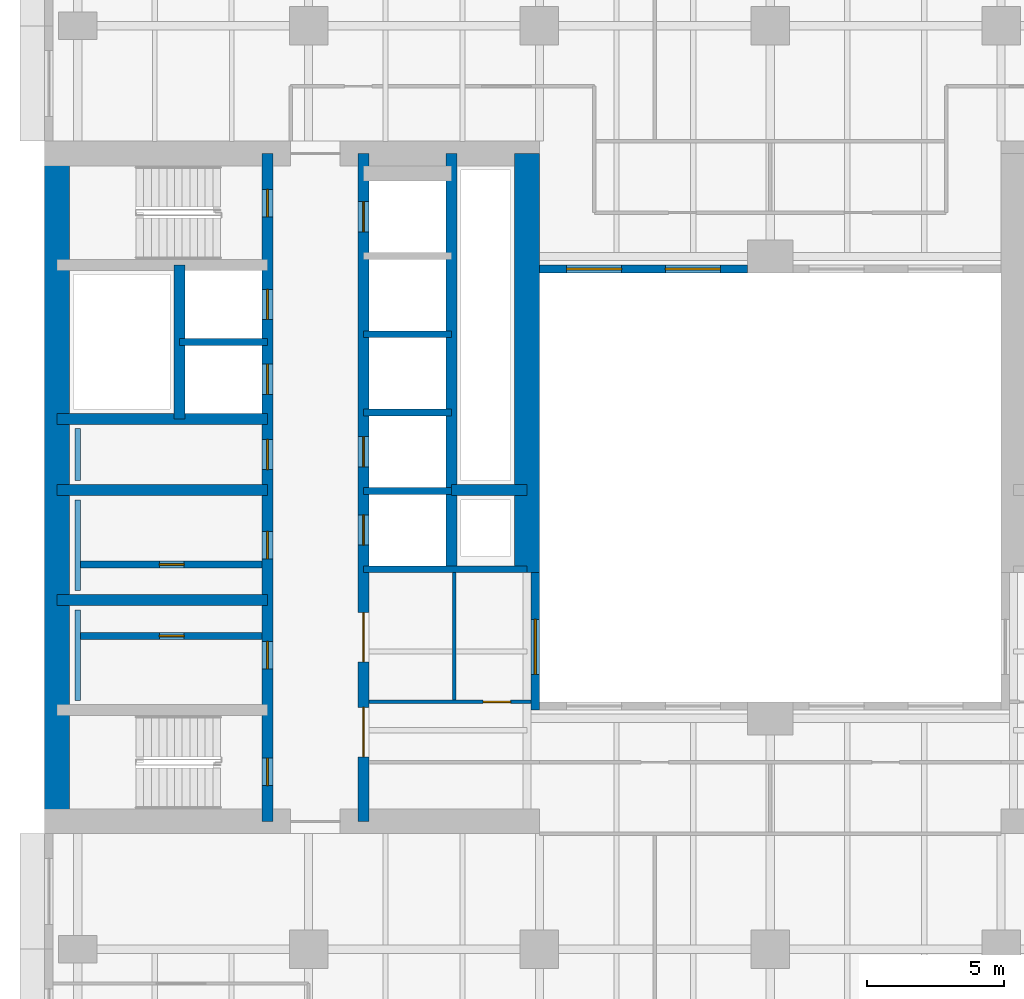
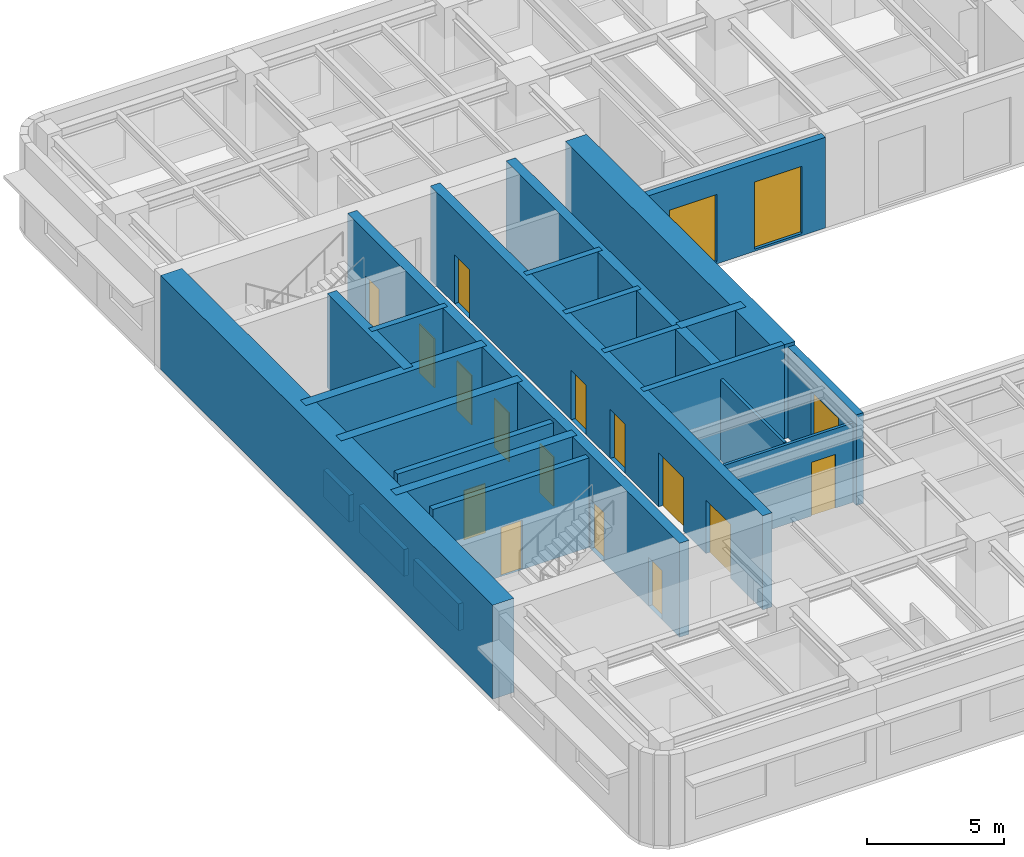
# One storey, part 4 of 11: 24 walls, 15 doors, 3 windows, 18 openings.
"""IFC4 building model written with IfcOpenShell, lengths in metres."""

from ifc_helpers import new_model, si_unit, direction, frame, frame_2d, origin, place, context, subcontext, project, spatial, rectangle, extrude, material, layer, layer_set, type_object, element, fill, save


model = new_model("IFC4")

# Units and contexts
model_context = context("Model", 3, precision=1e-05, world=origin(), true_north=direction((0.0, 1.0)))
body_context = subcontext(model_context, "Body", "Model", "MODEL_VIEW")
ifc_project = project(units=[si_unit("LENGTHUNIT", "METRE"), si_unit("AREAUNIT", "SQUARE_METRE"), si_unit("VOLUMEUNIT", "CUBIC_METRE"), si_unit("PLANEANGLEUNIT", "RADIAN"), si_unit("MASSUNIT", "GRAM", prefix="KILO")], contexts=[model_context])

# Site, building, storey
site_placement = place(None, origin())
site = spatial("IfcSite", under=ifc_project, at=site_placement, CompositionType="ELEMENT")
building_placement = place(site_placement, origin())
building = spatial("IfcBuilding", under=site, at=building_placement, Name="Claustro Exchange Tower", CompositionType="ELEMENT")
storey_placement = place(building_placement, frame((0.0, 0.0, 155.39990234375)))
storey = spatial("IfcBuildingStorey", under=building, at=storey_placement, Name="L35", CompositionType="ELEMENT", Elevation=155.39990234375)

# Wall, opening, door
ifc_material_1 = material(Name="Laminated glass in aluminium frame", Category="aluminium")
ifc_layer_1 = layer(ifc_material_1, 0.1201171875)
ifc_layer_set_1 = layer_set([ifc_layer_1], Name="Laminated glass in aluminium frame")
wall_type_1 = type_object("IfcWallType", Name="P2 120 glazed partition", PredefinedType="PARTITIONING", material=ifc_layer_set_1)
wall_1_placement = place(storey_placement, frame((10.597900390625, 17.39990234375, 0.0), z_axis=(0.0, 0.0, 1.0), x_axis=(1.0, 0.0, 0.0)))
wall_1 = element("IfcWall", 1, at=wall_1_placement, inside=storey, type_object=wall_type_1, Name="Partition P2 L35", PredefinedType="PARTITIONING", context=body_context, shape_type="SweptSolid", body=[
    extrude(rectangle(XDim=5.904052734375, YDim=0.1201171875, at=frame_2d((2.9521484375, 0.0))), origin(), (0.0, 0.0, 1.0), 3.550048828125),
])
opening_1_placement = place(wall_1_placement, frame((4.152099609375, 0.0, 0.0)))
opening_1 = element("IfcOpeningElement", 2, at=opening_1_placement, cuts=wall_1, Name="Opening D7", PredefinedType="OPENING", context=body_context, shape_type="SweptSolid", body=[
    extrude(rectangle(XDim=1.0, YDim=2.39990234375, at=frame_2d((0.5, 1.199951171875))), frame((0.0, 0.070068359375, 0.0), z_axis=(0.0, -1.0, 0.0), x_axis=(1.0, 0.0, 0.0)), (0.0, 0.0, 1.0), 0.14013671875),
])
ifc_material_2 = material(Name="Glass door in aluminium frame", Category="aluminium")
door_type_1 = type_object("IfcDoorType", Name="D7 1000 x 2400 glazed door", OperationType="SINGLE_SWING_LEFT", PredefinedType="DOOR", material=ifc_material_2)
door_1_placement = place(opening_1_placement, origin())
door_1 = element("IfcDoor", 3, at=door_1_placement, inside=storey, type_object=door_type_1, Name="Door D7 L35", OperationType="SINGLE_SWING_RIGHT", OverallHeight=2.39990234375, OverallWidth=1.0, PredefinedType="DOOR", context=body_context, shape_type="SweptSolid", body=[
    extrude(rectangle(XDim=1.0, YDim=2.39990234375, at=frame_2d((0.5, 1.199951171875))), frame((0.0, 0.02490234375, 0.0), z_axis=(0.0, -1.0, 0.0), x_axis=(1.0, 0.0, 0.0)), (0.0, 0.0, 1.0), 0.050048828125),
])
fill(opening_1, door_1)

# Wall
wall_2_placement = place(storey_placement, frame((13.699951171875, 17.4580078125, 0.0), z_axis=(0.0, 0.0, 1.0), x_axis=(0.0, 1.0, 0.0)))
element("IfcWall", 4, at=wall_2_placement, inside=storey, type_object=wall_type_1, Name="Partition P2 L35", PredefinedType="PARTITIONING", context=body_context, shape_type="SweptSolid", body=[
    extrude(rectangle(XDim=4.64404296875, YDim=0.1201171875, at=frame_2d((2.322021484375, 0.0))), origin(), (0.0, 0.0, 1.0), 3.60009765625),
])

# Wall, opening, door
ifc_material_3 = material(Name="Concrete blockwork, rendered", Category="masonry")
ifc_layer_2 = layer(ifc_material_3, 0.25)
ifc_layer_set_2 = layer_set([ifc_layer_2], Name="Concrete blockwork, rendered")
wall_type_2 = type_object("IfcWallType", Name="P4 250 blockwork wall", PredefinedType="PARTITIONING", material=ifc_layer_set_2)
wall_3_placement = place(storey_placement, frame((0.10009765625, 22.39990234375, 0.0), z_axis=(0.0, 0.0, 1.0), x_axis=(1.0, 0.0, 0.0)))
wall_3 = element("IfcWall", 5, at=wall_3_placement, inside=storey, type_object=wall_type_2, Name="Partition P4 L35", PredefinedType="PARTITIONING", context=body_context, shape_type="SweptSolid", body=[
    extrude(rectangle(XDim=6.599853515625, YDim=0.25, at=frame_2d((3.2998046875, 0.0))), origin(), (0.0, 0.0, 1.0), 4.0),
])
opening_2_placement = place(wall_3_placement, frame((2.875, 0.0, 0.0)))
opening_2 = element("IfcOpeningElement", 6, at=opening_2_placement, cuts=wall_3, Name="Opening D5", PredefinedType="OPENING", context=body_context, shape_type="SweptSolid", body=[
    extrude(rectangle(XDim=0.89990234375, YDim=2.199951171875, at=frame_2d((0.449951171875, 1.10009765625))), frame((0.0, 0.135009765625, 0.0), z_axis=(0.0, -1.0, 0.0), x_axis=(1.0, 0.0, 0.0)), (0.0, 0.0, 1.0), 0.27001953125),
])
ifc_material_4 = material(Name="Steel door, painted", Category="steel")
door_type_2 = type_object("IfcDoorType", Name="D5 900 x 2200 store door", OperationType="SINGLE_SWING_LEFT", PredefinedType="DOOR", material=ifc_material_4)
door_2_placement = place(opening_2_placement, frame((0.89990234375, 0.0, 0.0), z_axis=(0.0, 0.0, 1.0), x_axis=(-1.0, 0.0, 0.0)))
door_2 = element("IfcDoor", 7, at=door_2_placement, inside=storey, type_object=door_type_2, Name="Store door D5 L35", OperationType="SINGLE_SWING_RIGHT", OverallHeight=2.199951171875, OverallWidth=0.89990234375, PredefinedType="DOOR", context=body_context, shape_type="SweptSolid", body=[
    extrude(rectangle(XDim=0.89990234375, YDim=2.199951171875, at=frame_2d((0.449951171875, 1.10009765625))), frame((0.0, 0.02490234375, 0.0), z_axis=(0.0, -1.0, 0.0), x_axis=(1.0, 0.0, 0.0)), (0.0, 0.0, 1.0), 0.050048828125),
])
fill(opening_2, door_2)

wall_4_placement = place(storey_placement, frame((0.10009765625, 19.800048828125, 0.0), z_axis=(0.0, 0.0, 1.0), x_axis=(1.0, 0.0, 0.0)))
wall_4 = element("IfcWall", 8, at=wall_4_placement, inside=storey, type_object=wall_type_2, Name="Partition P4 L35", PredefinedType="PARTITIONING", context=body_context, shape_type="SweptSolid", body=[
    extrude(rectangle(XDim=6.599853515625, YDim=0.25, at=frame_2d((3.2998046875, 0.0))), origin(), (0.0, 0.0, 1.0), 4.0),
])
opening_3_placement = place(wall_4_placement, frame((2.875, 0.0, 0.0)))
opening_3 = element("IfcOpeningElement", 9, at=opening_3_placement, cuts=wall_4, Name="Opening D5", PredefinedType="OPENING", context=body_context, shape_type="SweptSolid", body=[
    extrude(rectangle(XDim=0.89990234375, YDim=2.199951171875, at=frame_2d((0.449951171875, 1.10009765625))), frame((0.0, 0.135009765625, 0.0), z_axis=(0.0, -1.0, 0.0), x_axis=(1.0, 0.0, 0.0)), (0.0, 0.0, 1.0), 0.27001953125),
])
door_3_placement = place(opening_3_placement, origin())
door_3 = element("IfcDoor", 10, at=door_3_placement, inside=storey, type_object=door_type_2, Name="Store door D5 L35", OperationType="SINGLE_SWING_LEFT", OverallHeight=2.199951171875, OverallWidth=0.89990234375, PredefinedType="DOOR", context=body_context, shape_type="SweptSolid", body=[
    extrude(rectangle(XDim=0.89990234375, YDim=2.199951171875, at=frame_2d((0.449951171875, 1.10009765625))), frame((0.0, 0.02490234375, 0.0), z_axis=(0.0, -1.0, 0.0), x_axis=(1.0, 0.0, 0.0)), (0.0, 0.0, 1.0), 0.050048828125),
])
fill(opening_3, door_3)

# Wall, opening, window
ifc_material_5 = material(Name="Concrete HA-40 (C40/50), precast, white cement, acid-etched", Category="concrete")
ifc_layer_3 = layer(ifc_material_5, 0.300048828125)
ifc_layer_set_3 = layer_set([ifc_layer_3], Name="Concrete HA-40 (C40/50), precast, white cement, acid-etched")
wall_type_3 = type_object("IfcWallType", Name="PC1 300 precast concrete pier panel", PredefinedType="SOLIDWALL", material=ifc_layer_set_3)
wall_5_placement = place(storey_placement, frame((16.64990234375, 17.10009765625, 0.0), z_axis=(0.0, 0.0, 1.0), x_axis=(0.0, 1.0, 0.0)))
wall_5 = element("IfcWall", 11, at=wall_5_placement, inside=storey, type_object=wall_type_3, Name="Precast pier panel PC1 L35", PredefinedType="SOLIDWALL", context=body_context, shape_type="SweptSolid", body=[
    extrude(rectangle(XDim=5.0, YDim=0.300048828125, at=frame_2d((2.5, 0.0))), origin(), (0.0, 0.0, 1.0), 4.050048828125),
])
opening_4_placement = place(wall_5_placement, frame((1.300048828125, 0.0, 0.10009765625)))
opening_4 = element("IfcOpeningElement", 12, at=opening_4_placement, cuts=wall_5, Name="Opening W-A", PredefinedType="OPENING", context=body_context, shape_type="SweptSolid", body=[
    extrude(rectangle(XDim=2.0, YDim=3.0, at=frame_2d((1.0, 1.5))), frame((0.0, 0.159912109375, 0.0), z_axis=(0.0, -1.0, 0.0), x_axis=(1.0, 0.0, 0.0)), (0.0, 0.0, 1.0), 0.320068359375),
])
ifc_material_6 = material(Name="Aluminium frame, clear double glazing", Category="aluminium")
window_type = type_object("IfcWindowType", Name="W-A 2000 x 3000 arcade window", PartitioningType="SINGLE_PANEL", PredefinedType="WINDOW", material=ifc_material_6)
window_1_placement = place(opening_4_placement, origin())
window_1 = element("IfcWindow", 13, at=window_1_placement, inside=storey, type_object=window_type, Name="Window W-A L35", OverallHeight=3.0, OverallWidth=2.0, PartitioningType="SINGLE_PANEL", PredefinedType="WINDOW", context=body_context, shape_type="SweptSolid", body=[
    extrude(rectangle(XDim=2.0, YDim=3.0, at=frame_2d((1.0, 1.5))), frame((0.0, 0.030029296875, 0.0), z_axis=(0.0, -1.0, 0.0), x_axis=(1.0, 0.0, 0.0)), (0.0, 0.0, 1.0), 0.06005859375),
])
fill(opening_4, window_1)

# Wall, openings, windows
wall_6_placement = place(storey_placement, frame((16.800048828125, 33.14990234375, 0.0), z_axis=(0.0, 0.0, 1.0), x_axis=(1.0, 0.0, 0.0)))
wall_6 = element("IfcWall", 14, at=wall_6_placement, inside=storey, type_object=wall_type_3, Name="Precast pier panel PC1 L35", PredefinedType="SOLIDWALL", context=body_context, shape_type="SweptSolid", body=[
    extrude(rectangle(XDim=7.574951171875, YDim=0.300048828125, at=frame_2d((3.78759765625, 0.0))), origin(), (0.0, 0.0, 1.0), 4.050048828125),
])
opening_5_placement = place(wall_6_placement, frame((0.987548828125, 0.0, 0.10009765625)))
opening_5 = element("IfcOpeningElement", 15, at=opening_5_placement, cuts=wall_6, Name="Opening W-A", PredefinedType="OPENING", context=body_context, shape_type="SweptSolid", body=[
    extrude(rectangle(XDim=2.0, YDim=3.0, at=frame_2d((1.0, 1.5))), frame((0.0, 0.159912109375, 0.0), z_axis=(0.0, -1.0, 0.0), x_axis=(1.0, 0.0, 0.0)), (0.0, 0.0, 1.0), 0.320068359375),
])
opening_6_placement = place(wall_6_placement, frame((4.58740234375, 0.0, 0.10009765625)))
opening_6 = element("IfcOpeningElement", 16, at=opening_6_placement, cuts=wall_6, Name="Opening W-A", PredefinedType="OPENING", context=body_context, shape_type="SweptSolid", body=[
    extrude(rectangle(XDim=2.0, YDim=3.0, at=frame_2d((1.0, 1.5))), frame((0.0, 0.159912109375, 0.0), z_axis=(0.0, -1.0, 0.0), x_axis=(1.0, 0.0, 0.0)), (0.0, 0.0, 1.0), 0.320068359375),
])
window_2_placement = place(opening_5_placement, origin())
window_2 = element("IfcWindow", 17, at=window_2_placement, inside=storey, type_object=window_type, Name="Window W-A L35", OverallHeight=3.0, OverallWidth=2.0, PartitioningType="SINGLE_PANEL", PredefinedType="WINDOW", context=body_context, shape_type="SweptSolid", body=[
    extrude(rectangle(XDim=2.0, YDim=3.0, at=frame_2d((1.0, 1.5))), frame((0.0, 0.030029296875, 0.0), z_axis=(0.0, -1.0, 0.0), x_axis=(1.0, 0.0, 0.0)), (0.0, 0.0, 1.0), 0.06005859375),
])
fill(opening_5, window_2)
window_3_placement = place(opening_6_placement, origin())
window_3 = element("IfcWindow", 18, at=window_3_placement, inside=storey, type_object=window_type, Name="Window W-A L35", OverallHeight=3.0, OverallWidth=2.0, PartitioningType="SINGLE_PANEL", PredefinedType="WINDOW", context=body_context, shape_type="SweptSolid", body=[
    extrude(rectangle(XDim=2.0, YDim=3.0, at=frame_2d((1.0, 1.5))), frame((0.0, 0.030029296875, 0.0), z_axis=(0.0, -1.0, 0.0), x_axis=(1.0, 0.0, 0.0)), (0.0, 0.0, 1.0), 0.06005859375),
])
fill(opening_6, window_3)

# Walls
ifc_material_7 = material(Name="Gypsum board on steel studs, tiled", Category="steel")
ifc_layer_4 = layer(ifc_material_7, 0.199951171875)
ifc_layer_set_4 = layer_set([ifc_layer_4], Name="Gypsum board on steel studs, tiled")
wall_type_4 = type_object("IfcWallType", Name="PW1 200 WC duct wall", PredefinedType="PLUMBINGWALL", material=ifc_layer_set_4)
for number, where, z_axis, x_axis, name in (
    (19, (0.0, 17.449951171875, 0.0), (0.0, 0.0, 1.0), (0.0, 1.0, 0.0), "WC duct wall PW1 L35"),
    (20, (0.0, 21.449951171875, 0.0), (0.0, 0.0, 1.0), (0.0, 1.0, 0.0), "WC duct wall PW1 L35"),
):
    element("IfcWall", number, at=place(storey_placement, frame(where, z_axis=z_axis, x_axis=x_axis)), inside=storey, type_object=wall_type_4, Name=name, PredefinedType="PLUMBINGWALL", context=body_context, shape_type="SweptSolid", body=[
        extrude(rectangle(XDim=3.300048828125, YDim=0.199951171875, at=frame_2d((1.64990234375, 0.0))), origin(), (0.0, 0.0, 1.0), 1.2001953125),
    ])
wall_7_placement = place(storey_placement, frame((0.0, 25.449951171875, 0.0), z_axis=(0.0, 0.0, 1.0), x_axis=(0.0, 1.0, 0.0)))
element("IfcWall", 21, at=wall_7_placement, inside=storey, type_object=wall_type_4, Name="WC duct wall PW1 L35", PredefinedType="PLUMBINGWALL", context=body_context, shape_type="SweptSolid", body=[
    extrude(rectangle(XDim=1.900146484375, YDim=0.199951171875, at=frame_2d((0.9501953125, 0.0))), origin(), (0.0, 0.0, 1.0), 1.2001953125),
])
ifc_material_8 = material(Name="Concrete HA-70 (C70/85)", Category="concrete")
ifc_layer_5 = layer(ifc_material_8, 0.89990234375)
ifc_layer_set_5 = layer_set([ifc_layer_5], Name="Concrete HA-70 (C70/85)")
wall_type_5 = type_object("IfcWallType", Name="SW1X 900 exposed core shear wall, board-marked face", PredefinedType="SHEAR", material=ifc_layer_set_5)
wall_8_placement = place(storey_placement, frame((-0.75, 13.050048828125, 0.0), z_axis=(0.0, 0.0, 1.0), x_axis=(0.0, 1.0, 0.0)))
element("IfcWall", 22, at=wall_8_placement, inside=storey, type_object=wall_type_5, Name="Core wall SW1X W core W face L35", PredefinedType="SHEAR", context=body_context, shape_type="SweptSolid", body=[
    extrude(rectangle(XDim=24.300048828125, YDim=0.89990234375, at=frame_2d((12.14990234375, 0.0))), origin(), (0.0, 0.0, 1.0), 4.2001953125),
])
wall_9_placement = place(storey_placement, frame((16.35009765625, 22.10009765625, 0.0), z_axis=(0.0, 0.0, 1.0), x_axis=(0.0, 1.0, 0.0)))
element("IfcWall", 23, at=wall_9_placement, inside=storey, type_object=wall_type_5, Name="Core wall SW1X W core E face L35", PredefinedType="SHEAR", context=body_context, shape_type="SweptSolid", body=[
    extrude(rectangle(XDim=15.25, YDim=0.89990234375, at=frame_2d((7.625, 0.0))), origin(), (0.0, 0.0, 1.0), 4.2001953125),
])

# Wall, openings, doors
ifc_material_9 = material(Name="Concrete HA-50 (C50/60)", Category="concrete")
ifc_layer_6 = layer(ifc_material_9, 0.39990234375)
ifc_layer_set_6 = layer_set([ifc_layer_6], Name="Concrete HA-50 (C50/60)")
wall_type_6 = type_object("IfcWallType", Name="SW4 400 internal core wall", PredefinedType="SHEAR", material=ifc_layer_set_6)
wall_10_placement = place(storey_placement, frame((6.89990234375, 13.050048828125, 0.0), z_axis=(0.0, 0.0, 1.0), x_axis=(0.0, 1.0, 0.0)))
wall_10 = element("IfcWall", 24, at=wall_10_placement, inside=storey, type_object=wall_type_6, Name="Internal core wall SW4 W core L35", PredefinedType="SHEAR", context=body_context, shape_type="SweptSolid", body=[
    extrude(rectangle(XDim=24.300048828125, YDim=0.39990234375, at=frame_2d((12.14990234375, 0.0))), origin(), (0.0, 0.0, 1.0), 4.2001953125),
])
opening_7_placement = place(wall_10_placement, frame((1.300048828125, 0.0, 0.0)))
opening_7 = element("IfcOpeningElement", 25, at=opening_7_placement, cuts=wall_10, Name="Opening D4", PredefinedType="OPENING", context=body_context, shape_type="SweptSolid", body=[
    extrude(rectangle(XDim=1.0, YDim=2.199951171875, at=frame_2d((0.5, 1.10009765625))), frame((0.0, 0.2099609375, 0.0), z_axis=(0.0, -1.0, 0.0), x_axis=(1.0, 0.0, 0.0)), (0.0, 0.0, 1.0), 0.419921875),
])
opening_8_placement = place(wall_10_placement, frame((22.0, 0.0, 0.0)))
opening_8 = element("IfcOpeningElement", 26, at=opening_8_placement, cuts=wall_10, Name="Opening D4", PredefinedType="OPENING", context=body_context, shape_type="SweptSolid", body=[
    extrude(rectangle(XDim=1.0, YDim=2.199951171875, at=frame_2d((0.5, 1.10009765625))), frame((0.0, 0.2099609375, 0.0), z_axis=(0.0, -1.0, 0.0), x_axis=(1.0, 0.0, 0.0)), (0.0, 0.0, 1.0), 0.419921875),
])
opening_9_placement = place(wall_10_placement, frame((5.550048828125, 0.0, 0.0)))
opening_9 = element("IfcOpeningElement", 27, at=opening_9_placement, cuts=wall_10, Name="Opening D1", PredefinedType="OPENING", context=body_context, shape_type="SweptSolid", body=[
    extrude(rectangle(XDim=1.0, YDim=2.199951171875, at=frame_2d((0.5, 1.10009765625))), frame((0.0, 0.2099609375, 0.0), z_axis=(0.0, -1.0, 0.0), x_axis=(1.0, 0.0, 0.0)), (0.0, 0.0, 1.0), 0.419921875),
])
opening_10_placement = place(wall_10_placement, frame((9.550048828125, 0.0, 0.0)))
opening_10 = element("IfcOpeningElement", 28, at=opening_10_placement, cuts=wall_10, Name="Opening D1", PredefinedType="OPENING", context=body_context, shape_type="SweptSolid", body=[
    extrude(rectangle(XDim=1.0, YDim=2.199951171875, at=frame_2d((0.5, 1.10009765625))), frame((0.0, 0.2099609375, 0.0), z_axis=(0.0, -1.0, 0.0), x_axis=(1.0, 0.0, 0.0)), (0.0, 0.0, 1.0), 0.419921875),
])
opening_11_placement = place(wall_10_placement, frame((12.800048828125, 0.0, 0.0)))
opening_11 = element("IfcOpeningElement", 29, at=opening_11_placement, cuts=wall_10, Name="Opening D10", PredefinedType="OPENING", context=body_context, shape_type="SweptSolid", body=[
    extrude(rectangle(XDim=1.10009765625, YDim=2.199951171875, at=frame_2d((0.550048828125, 1.10009765625))), frame((0.0, 0.2099609375, 0.0), z_axis=(0.0, -1.0, 0.0), x_axis=(1.0, 0.0, 0.0)), (0.0, 0.0, 1.0), 0.419921875),
])
opening_12_placement = place(wall_10_placement, frame((15.53759765625, 0.0, 0.0)))
opening_12 = element("IfcOpeningElement", 30, at=opening_12_placement, cuts=wall_10, Name="Opening LD", PredefinedType="OPENING", context=body_context, shape_type="SweptSolid", body=[
    extrude(rectangle(XDim=1.10009765625, YDim=2.199951171875, at=frame_2d((0.550048828125, 1.10009765625))), frame((0.0, 0.2099609375, 0.0), z_axis=(0.0, -1.0, 0.0), x_axis=(1.0, 0.0, 0.0)), (0.0, 0.0, 1.0), 0.419921875),
])
opening_13_placement = place(wall_10_placement, frame((18.262451171875, 0.0, 0.0)))
opening_13 = element("IfcOpeningElement", 31, at=opening_13_placement, cuts=wall_10, Name="Opening LD", PredefinedType="OPENING", context=body_context, shape_type="SweptSolid", body=[
    extrude(rectangle(XDim=1.10009765625, YDim=2.199951171875, at=frame_2d((0.550048828125, 1.10009765625))), frame((0.0, 0.2099609375, 0.0), z_axis=(0.0, -1.0, 0.0), x_axis=(1.0, 0.0, 0.0)), (0.0, 0.0, 1.0), 0.419921875),
])
ifc_material_10 = material(Name="Timber door, oak veneer", Category="wood")
door_type_3 = type_object("IfcDoorType", Name="D1 1000 x 2200 single door", OperationType="SINGLE_SWING_LEFT", PredefinedType="DOOR", material=ifc_material_10)
door_4_placement = place(opening_9_placement, origin())
door_4 = element("IfcDoor", 32, at=door_4_placement, inside=storey, type_object=door_type_3, Name="Door D1 L35", OperationType="SINGLE_SWING_RIGHT", OverallHeight=2.199951171875, OverallWidth=1.0, PredefinedType="DOOR", context=body_context, shape_type="SweptSolid", body=[
    extrude(rectangle(XDim=1.0, YDim=2.199951171875, at=frame_2d((0.5, 1.10009765625))), frame((0.0, 0.02490234375, 0.0), z_axis=(0.0, -1.0, 0.0), x_axis=(1.0, 0.0, 0.0)), (0.0, 0.0, 1.0), 0.050048828125),
])
fill(opening_9, door_4)
door_5_placement = place(opening_10_placement, origin())
door_5 = element("IfcDoor", 33, at=door_5_placement, inside=storey, type_object=door_type_3, Name="Door D1 L35", OperationType="SINGLE_SWING_LEFT", OverallHeight=2.199951171875, OverallWidth=1.0, PredefinedType="DOOR", context=body_context, shape_type="SweptSolid", body=[
    extrude(rectangle(XDim=1.0, YDim=2.199951171875, at=frame_2d((0.5, 1.10009765625))), frame((0.0, 0.02490234375, 0.0), z_axis=(0.0, -1.0, 0.0), x_axis=(1.0, 0.0, 0.0)), (0.0, 0.0, 1.0), 0.050048828125),
])
fill(opening_10, door_5)
ifc_material_11 = material(Name="Timber door, oak veneer", Category="wood")
door_type_4 = type_object("IfcDoorType", Name="D10 1100 x 2200 accessible WC door", OperationType="SINGLE_SWING_LEFT", PredefinedType="DOOR", material=ifc_material_11)
door_6_placement = place(opening_11_placement, frame((1.10009765625, 0.0, 0.0), z_axis=(0.0, 0.0, 1.0), x_axis=(-1.0, 0.0, 0.0)))
door_6 = element("IfcDoor", 34, at=door_6_placement, inside=storey, type_object=door_type_4, Name="Accessible WC door D10 L35", OperationType="SINGLE_SWING_LEFT", OverallHeight=2.199951171875, OverallWidth=1.10009765625, PredefinedType="DOOR", context=body_context, shape_type="SweptSolid", body=[
    extrude(rectangle(XDim=1.10009765625, YDim=2.199951171875, at=frame_2d((0.550048828125, 1.10009765625))), frame((0.0, 0.02490234375, 0.0), z_axis=(0.0, -1.0, 0.0), x_axis=(1.0, 0.0, 0.0)), (0.0, 0.0, 1.0), 0.050048828125),
])
fill(opening_11, door_6)
ifc_material_12 = material(Name="Steel fire door, painted", Category="steel")
door_type_5 = type_object("IfcDoorType", Name="D4 1000 x 2200 fire-rated stair door", OperationType="SINGLE_SWING_LEFT", PredefinedType="DOOR", material=ifc_material_12)
door_7_placement = place(opening_7_placement, origin())
door_7 = element("IfcDoor", 35, at=door_7_placement, inside=storey, type_object=door_type_5, Name="Stair door D4 L35", OperationType="SINGLE_SWING_LEFT", OverallHeight=2.199951171875, OverallWidth=1.0, PredefinedType="DOOR", context=body_context, shape_type="SweptSolid", body=[
    extrude(rectangle(XDim=1.0, YDim=2.199951171875, at=frame_2d((0.5, 1.10009765625))), frame((0.0, 0.02490234375, 0.0), z_axis=(0.0, -1.0, 0.0), x_axis=(1.0, 0.0, 0.0)), (0.0, 0.0, 1.0), 0.050048828125),
])
fill(opening_7, door_7)
door_8_placement = place(opening_8_placement, origin())
door_8 = element("IfcDoor", 36, at=door_8_placement, inside=storey, type_object=door_type_5, Name="Stair door D4 L35", OperationType="SINGLE_SWING_RIGHT", OverallHeight=2.199951171875, OverallWidth=1.0, PredefinedType="DOOR", context=body_context, shape_type="SweptSolid", body=[
    extrude(rectangle(XDim=1.0, YDim=2.199951171875, at=frame_2d((0.5, 1.10009765625))), frame((0.0, 0.02490234375, 0.0), z_axis=(0.0, -1.0, 0.0), x_axis=(1.0, 0.0, 0.0)), (0.0, 0.0, 1.0), 0.050048828125),
])
fill(opening_8, door_8)
ifc_material_13 = material(Name="Stainless steel sliding door", Category="steel")
door_type_6 = type_object("IfcDoorType", Name="LD 1100 x 2200 lift landing door", OperationType="DOUBLE_DOOR_SLIDING", PredefinedType="DOOR", material=ifc_material_13)
door_9_placement = place(opening_12_placement, origin())
door_9 = element("IfcDoor", 37, at=door_9_placement, inside=storey, type_object=door_type_6, Name="Lift landing door LEW1 LD L35", OperationType="DOUBLE_DOOR_SLIDING", OverallHeight=2.199951171875, OverallWidth=1.10009765625, PredefinedType="DOOR", context=body_context, shape_type="SweptSolid", body=[
    extrude(rectangle(XDim=1.10009765625, YDim=2.199951171875, at=frame_2d((0.550048828125, 1.10009765625))), frame((0.0, 0.02490234375, 0.0), z_axis=(0.0, -1.0, 0.0), x_axis=(1.0, 0.0, 0.0)), (0.0, 0.0, 1.0), 0.050048828125),
])
fill(opening_12, door_9)
door_10_placement = place(opening_13_placement, origin())
door_10 = element("IfcDoor", 38, at=door_10_placement, inside=storey, type_object=door_type_6, Name="Lift landing door LEW2 LD L35", OperationType="DOUBLE_DOOR_SLIDING", OverallHeight=2.199951171875, OverallWidth=1.10009765625, PredefinedType="DOOR", context=body_context, shape_type="SweptSolid", body=[
    extrude(rectangle(XDim=1.10009765625, YDim=2.199951171875, at=frame_2d((0.550048828125, 1.10009765625))), frame((0.0, 0.02490234375, 0.0), z_axis=(0.0, -1.0, 0.0), x_axis=(1.0, 0.0, 0.0)), (0.0, 0.0, 1.0), 0.050048828125),
])
fill(opening_13, door_10)

wall_11_placement = place(storey_placement, frame((10.39990234375, 13.050048828125, 0.0), z_axis=(0.0, 0.0, 1.0), x_axis=(0.0, 1.0, 0.0)))
wall_11 = element("IfcWall", 39, at=wall_11_placement, inside=storey, type_object=wall_type_6, Name="Internal core wall SW4 W core L35", PredefinedType="SHEAR", context=body_context, shape_type="SweptSolid", body=[
    extrude(rectangle(XDim=24.300048828125, YDim=0.39990234375, at=frame_2d((12.14990234375, 0.0))), origin(), (0.0, 0.0, 1.0), 4.2001953125),
])
opening_14_placement = place(wall_11_placement, frame((10.050048828125, 0.0, 0.0)))
opening_14 = element("IfcOpeningElement", 40, at=opening_14_placement, cuts=wall_11, Name="Opening LD", PredefinedType="OPENING", context=body_context, shape_type="SweptSolid", body=[
    extrude(rectangle(XDim=1.10009765625, YDim=2.199951171875, at=frame_2d((0.550048828125, 1.10009765625))), frame((0.0, 0.2099609375, 0.0), z_axis=(0.0, -1.0, 0.0), x_axis=(1.0, 0.0, 0.0)), (0.0, 0.0, 1.0), 0.419921875),
])
opening_15_placement = place(wall_11_placement, frame((12.89990234375, 0.0, 0.0)))
opening_15 = element("IfcOpeningElement", 41, at=opening_15_placement, cuts=wall_11, Name="Opening LD", PredefinedType="OPENING", context=body_context, shape_type="SweptSolid", body=[
    extrude(rectangle(XDim=1.10009765625, YDim=2.199951171875, at=frame_2d((0.550048828125, 1.10009765625))), frame((0.0, 0.2099609375, 0.0), z_axis=(0.0, -1.0, 0.0), x_axis=(1.0, 0.0, 0.0)), (0.0, 0.0, 1.0), 0.419921875),
])
opening_16_placement = place(wall_11_placement, frame((21.449951171875, 0.0, 0.0)))
opening_16 = element("IfcOpeningElement", 42, at=opening_16_placement, cuts=wall_11, Name="Opening LD", PredefinedType="OPENING", context=body_context, shape_type="SweptSolid", body=[
    extrude(rectangle(XDim=1.10009765625, YDim=2.199951171875, at=frame_2d((0.550048828125, 1.10009765625))), frame((0.0, 0.2099609375, 0.0), z_axis=(0.0, -1.0, 0.0), x_axis=(1.0, 0.0, 0.0)), (0.0, 0.0, 1.0), 0.419921875),
])
opening_17_placement = place(wall_11_placement, frame((2.35009765625, 0.0, 0.0)))
opening_17 = element("IfcOpeningElement", 43, at=opening_17_placement, cuts=wall_11, Name="Opening D3", PredefinedType="OPENING", context=body_context, shape_type="SweptSolid", body=[
    extrude(rectangle(XDim=1.800048828125, YDim=2.39990234375, at=frame_2d((0.89990234375, 1.199951171875))), frame((0.0, 0.2099609375, 0.0), z_axis=(0.0, -1.0, 0.0), x_axis=(1.0, 0.0, 0.0)), (0.0, 0.0, 1.0), 0.419921875),
])
opening_18_placement = place(wall_11_placement, frame((5.800048828125, 0.0, 0.0)))
opening_18 = element("IfcOpeningElement", 44, at=opening_18_placement, cuts=wall_11, Name="Opening D3", PredefinedType="OPENING", context=body_context, shape_type="SweptSolid", body=[
    extrude(rectangle(XDim=1.800048828125, YDim=2.39990234375, at=frame_2d((0.89990234375, 1.199951171875))), frame((0.0, 0.2099609375, 0.0), z_axis=(0.0, -1.0, 0.0), x_axis=(1.0, 0.0, 0.0)), (0.0, 0.0, 1.0), 0.419921875),
])
ifc_material_14 = material(Name="Steel fire door, painted", Category="steel")
door_type_7 = type_object("IfcDoorType", Name="D3 1800 x 2400 fire-rated lobby double door", OperationType="DOUBLE_DOOR_SINGLE_SWING", PredefinedType="DOOR", material=ifc_material_14)
door_11_placement = place(opening_17_placement, origin())
door_11 = element("IfcDoor", 45, at=door_11_placement, inside=storey, type_object=door_type_7, Name="Core zone door D3 L35", OperationType="DOUBLE_DOOR_SINGLE_SWING", OverallHeight=2.39990234375, OverallWidth=1.800048828125, PredefinedType="DOOR", context=body_context, shape_type="SweptSolid", body=[
    extrude(rectangle(XDim=1.800048828125, YDim=2.39990234375, at=frame_2d((0.89990234375, 1.199951171875))), frame((0.0, 0.02490234375, 0.0), z_axis=(0.0, -1.0, 0.0), x_axis=(1.0, 0.0, 0.0)), (0.0, 0.0, 1.0), 0.050048828125),
])
fill(opening_17, door_11)
door_12_placement = place(opening_18_placement, frame((1.800048828125, 0.0, 0.0), z_axis=(0.0, 0.0, 1.0), x_axis=(-1.0, 0.0, 0.0)))
door_12 = element("IfcDoor", 46, at=door_12_placement, inside=storey, type_object=door_type_7, Name="Core zone door D3 L35", OperationType="DOUBLE_DOOR_SINGLE_SWING", OverallHeight=2.39990234375, OverallWidth=1.800048828125, PredefinedType="DOOR", context=body_context, shape_type="SweptSolid", body=[
    extrude(rectangle(XDim=1.800048828125, YDim=2.39990234375, at=frame_2d((0.89990234375, 1.199951171875))), frame((0.0, 0.02490234375, 0.0), z_axis=(0.0, -1.0, 0.0), x_axis=(1.0, 0.0, 0.0)), (0.0, 0.0, 1.0), 0.050048828125),
])
fill(opening_18, door_12)
door_13_placement = place(opening_14_placement, origin())
door_13 = element("IfcDoor", 47, at=door_13_placement, inside=storey, type_object=door_type_6, Name="Lift landing door LMW1 LD L35", OperationType="DOUBLE_DOOR_SLIDING", OverallHeight=2.199951171875, OverallWidth=1.10009765625, PredefinedType="DOOR", context=body_context, shape_type="SweptSolid", body=[
    extrude(rectangle(XDim=1.10009765625, YDim=2.199951171875, at=frame_2d((0.550048828125, 1.10009765625))), frame((0.0, 0.02490234375, 0.0), z_axis=(0.0, -1.0, 0.0), x_axis=(1.0, 0.0, 0.0)), (0.0, 0.0, 1.0), 0.050048828125),
])
fill(opening_14, door_13)
door_14_placement = place(opening_15_placement, origin())
door_14 = element("IfcDoor", 48, at=door_14_placement, inside=storey, type_object=door_type_6, Name="Lift landing door LMW2 LD L35", OperationType="DOUBLE_DOOR_SLIDING", OverallHeight=2.199951171875, OverallWidth=1.10009765625, PredefinedType="DOOR", context=body_context, shape_type="SweptSolid", body=[
    extrude(rectangle(XDim=1.10009765625, YDim=2.199951171875, at=frame_2d((0.550048828125, 1.10009765625))), frame((0.0, 0.02490234375, 0.0), z_axis=(0.0, -1.0, 0.0), x_axis=(1.0, 0.0, 0.0)), (0.0, 0.0, 1.0), 0.050048828125),
])
fill(opening_15, door_14)
door_15_placement = place(opening_16_placement, origin())
door_15 = element("IfcDoor", 49, at=door_15_placement, inside=storey, type_object=door_type_6, Name="Lift landing door LSW1 LD L35", OperationType="DOUBLE_DOOR_SLIDING", OverallHeight=2.199951171875, OverallWidth=1.10009765625, PredefinedType="DOOR", context=body_context, shape_type="SweptSolid", body=[
    extrude(rectangle(XDim=1.10009765625, YDim=2.199951171875, at=frame_2d((0.550048828125, 1.10009765625))), frame((0.0, 0.02490234375, 0.0), z_axis=(0.0, -1.0, 0.0), x_axis=(1.0, 0.0, 0.0)), (0.0, 0.0, 1.0), 0.050048828125),
])
fill(opening_16, door_15)

# Walls
wall_12_placement = place(storey_placement, frame((13.60009765625, 22.22509765625, 0.0), z_axis=(0.0, 0.0, 1.0), x_axis=(0.0, 1.0, 0.0)))
element("IfcWall", 50, at=wall_12_placement, inside=storey, type_object=wall_type_6, Name="Internal core wall SW4 W core L35", PredefinedType="SHEAR", context=body_context, shape_type="SweptSolid", body=[
    extrude(rectangle(XDim=15.125, YDim=0.39990234375, at=frame_2d((7.5625, 0.0))), origin(), (0.0, 0.0, 1.0), 4.2001953125),
])
for number, where, z_axis, x_axis, name in (
    (51, (-0.75, 21.10009765625, 0.0), (0.0, 0.0, 1.0), (1.0, 0.0, 0.0), "Internal core wall SW4 W core L35"),
    (52, (-0.75, 25.10009765625, 0.0), (0.0, 0.0, 1.0), (1.0, 0.0, 0.0), "Internal core wall SW4 W core L35"),
    (53, (-0.75, 27.699951171875, 0.0), (0.0, 0.0, 1.0), (1.0, 0.0, 0.0), "Internal core wall SW4 W core L35"),
):
    element("IfcWall", number, at=place(storey_placement, frame(where, z_axis=z_axis, x_axis=x_axis)), inside=storey, type_object=wall_type_6, Name=name, PredefinedType="SHEAR", context=body_context, shape_type="SweptSolid", body=[
        extrude(rectangle(XDim=7.64990234375, YDim=0.39990234375, at=frame_2d((3.824951171875, 0.0))), origin(), (0.0, 0.0, 1.0), 4.2001953125),
    ])
wall_13_placement = place(storey_placement, frame((3.699951171875, 27.699951171875, 0.0), z_axis=(0.0, 0.0, 1.0), x_axis=(0.0, 1.0, 0.0)))
element("IfcWall", 54, at=wall_13_placement, inside=storey, type_object=wall_type_6, Name="Internal core wall SW4 W core L35", PredefinedType="SHEAR", context=body_context, shape_type="SweptSolid", body=[
    extrude(rectangle(XDim=5.60009765625, YDim=0.39990234375, at=frame_2d((2.800048828125, 0.0))), origin(), (0.0, 0.0, 1.0), 4.2001953125),
])
wall_14_placement = place(storey_placement, frame((13.60009765625, 25.10009765625, 0.0), z_axis=(0.0, 0.0, 1.0), x_axis=(1.0, 0.0, 0.0)))
element("IfcWall", 55, at=wall_14_placement, inside=storey, type_object=wall_type_6, Name="Internal core wall SW4 W core L35", PredefinedType="SHEAR", context=body_context, shape_type="SweptSolid", body=[
    extrude(rectangle(XDim=2.75, YDim=0.39990234375, at=frame_2d((1.375, 0.0))), origin(), (0.0, 0.0, 1.0), 4.2001953125),
])
ifc_material_15 = material(Name="Concrete HA-50 (C50/60)", Category="concrete")
ifc_layer_7 = layer(ifc_material_15, 0.25)
ifc_layer_set_7 = layer_set([ifc_layer_7], Name="Concrete HA-50 (C50/60)")
wall_type_7 = type_object("IfcWallType", Name="SW5 250 lift shaft divider wall", PredefinedType="SHEAR", material=ifc_layer_set_7)
wall_15_placement = place(storey_placement, frame((3.699951171875, 30.5, 0.0), z_axis=(0.0, 0.0, 1.0), x_axis=(1.0, 0.0, 0.0)))
element("IfcWall", 56, at=wall_15_placement, inside=storey, type_object=wall_type_7, Name="Lift shaft wall W core L35", PredefinedType="SHEAR", context=body_context, shape_type="SweptSolid", body=[
    extrude(rectangle(XDim=3.199951171875, YDim=0.25, at=frame_2d((1.60009765625, 0.0))), origin(), (0.0, 0.0, 1.0), 4.2001953125),
])
wall_16_placement = place(storey_placement, frame((10.39990234375, 22.22509765625, 0.0), z_axis=(0.0, 0.0, 1.0), x_axis=(1.0, 0.0, 0.0)))
element("IfcWall", 57, at=wall_16_placement, inside=storey, type_object=wall_type_7, Name="Core step wall W core L35", PredefinedType="SHEAR", context=body_context, shape_type="SweptSolid", body=[
    extrude(rectangle(XDim=5.9501953125, YDim=0.25, at=frame_2d((2.97509765625, 0.0))), origin(), (0.0, 0.0, 1.0), 4.2001953125),
])
for number, where, z_axis, x_axis, name in (
    (58, (10.39990234375, 25.074951171875, 0.0), (0.0, 0.0, 1.0), (1.0, 0.0, 0.0), "Lift shaft wall W core L35"),
    (59, (10.39990234375, 27.925048828125, 0.0), (0.0, 0.0, 1.0), (1.0, 0.0, 0.0), "Lift shaft wall W core L35"),
    (60, (10.39990234375, 30.77490234375, 0.0), (0.0, 0.0, 1.0), (1.0, 0.0, 0.0), "Lift shaft wall W core L35"),
):
    element("IfcWall", number, at=place(storey_placement, frame(where, z_axis=z_axis, x_axis=x_axis)), inside=storey, type_object=wall_type_7, Name=name, PredefinedType="SHEAR", context=body_context, shape_type="SweptSolid", body=[
        extrude(rectangle(XDim=3.2001953125, YDim=0.25, at=frame_2d((1.60009765625, 0.0))), origin(), (0.0, 0.0, 1.0), 4.2001953125),
    ])

save(model, "model.ifc")
